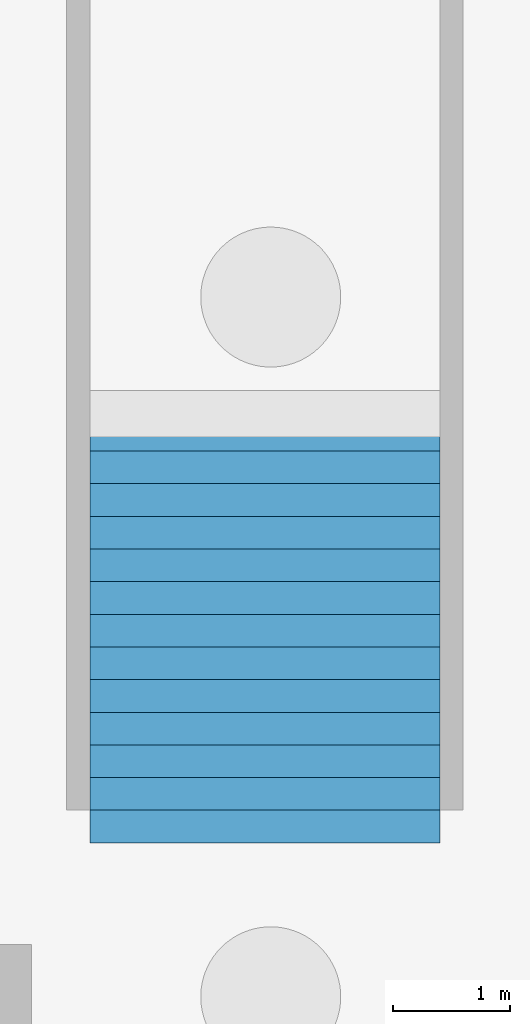
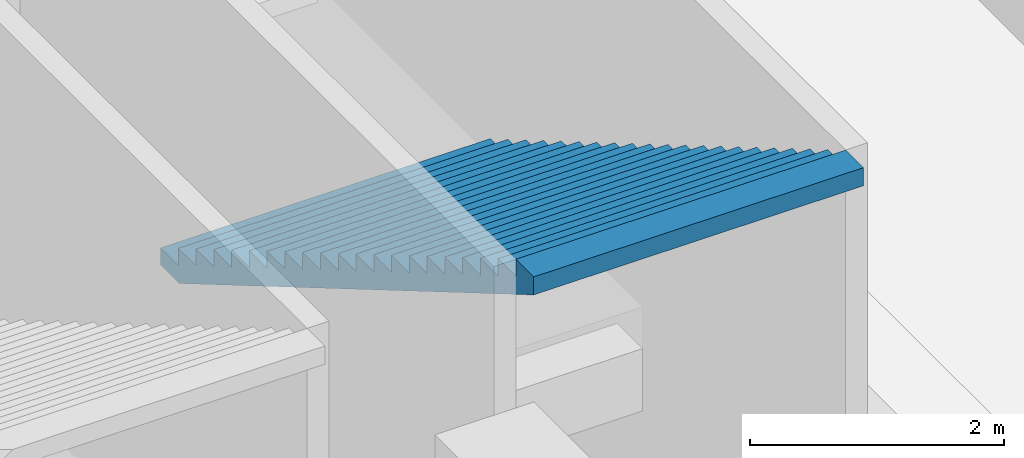
# One storey, part 12 of 16: 1 stair flight, 1 element without a shape of its own.
"""IFC4 building model written with IfcOpenShell, lengths in metres."""

from ifc_helpers import new_model, si_unit, direction, frame, origin, place, context, subcontext, project, spatial, faceted_brep, material, type_object, element, aggregate, save


model = new_model("IFC4")

# Units and contexts
model_context = context("Model", 3, precision=1e-05, world=origin(), true_north=direction((0.0, 1.0)))
body_context = subcontext(model_context, "Body", "Model", "MODEL_VIEW")
ifc_project = project(units=[si_unit("LENGTHUNIT", "METRE"), si_unit("AREAUNIT", "SQUARE_METRE"), si_unit("VOLUMEUNIT", "CUBIC_METRE"), si_unit("PLANEANGLEUNIT", "RADIAN"), si_unit("MASSUNIT", "GRAM", prefix="KILO")], contexts=[model_context])

# Site, building, storey
site_placement = place(None, origin())
site = spatial("IfcSite", under=ifc_project, at=site_placement, CompositionType="ELEMENT")
building_placement = place(site_placement, origin())
building = spatial("IfcBuilding", under=site, at=building_placement, Name="Ogive Plaza Stadium", CompositionType="ELEMENT")
storey_placement = place(building_placement, frame((0.0, 0.0, -11.39990234375)))
storey = spatial("IfcBuildingStorey", under=building, at=storey_placement, Name="B2", CompositionType="ELEMENT", Elevation=-11.39990234375)

# Stair, stair flight
ifc_material_1 = material(Name="Concrete C40/50", Category="concrete")
stair_type = type_object("IfcStairType", Name="Station stair 3000", PredefinedType="TWO_STRAIGHT_RUN_STAIR", material=ifc_material_1)
stair_placement = place(storey_placement, origin())
stair = element("IfcStair", 1, at=stair_placement, inside=storey, type_object=stair_type, Name="Stair PS4", PredefinedType="TWO_STRAIGHT_RUN_STAIR")
ifc_material_2 = material(Name="Concrete C40/50", Category="concrete")
stair_flight_type = type_object("IfcStairFlightType", Name="Station stair flight 3000", PredefinedType="STRAIGHT", material=ifc_material_2)
stair_flight_placement = place(storey_placement, frame((109.949951171875, 34.199951171875, 3.449951171875), z_axis=(0.0, 0.0, 1.0), x_axis=(0.0, -1.0, 0.0)))
stair_flight = element("IfcStairFlight", 2, at=stair_flight_placement, type_object=stair_flight_type, Name="PS4 flight 2", NumberOfRisers=21, NumberOfTreads=20, PredefinedType="STRAIGHT", RiserHeight=0.164285714, TreadLength=0.28, context=body_context, shape_type="Brep", body=[
    faceted_brep([(0.296142578125, -1.5, 0.0), (5.8798828125, -1.5, 3.276123046875), (5.8798828125, -1.5, 3.449951171875), (5.60009765625, -1.5, 3.449951171875), (5.60009765625, -1.5, 3.28564453125), (5.320068359375, -1.5, 3.28564453125), (5.320068359375, -1.5, 3.121337890625), (5.0400390625, -1.5, 3.121337890625), (5.0400390625, -1.5, 2.95703125), (4.760009765625, -1.5, 2.95703125), (4.760009765625, -1.5, 2.79296875), (4.47998046875, -1.5, 2.79296875), (4.47998046875, -1.5, 2.628662109375), (4.199951171875, -1.5, 2.628662109375), (4.199951171875, -1.5, 2.46435546875), (3.919921875, -1.5, 2.46435546875), (3.919921875, -1.5, 2.300048828125), (3.639892578125, -1.5, 2.300048828125), (3.639892578125, -1.5, 2.1357421875), (3.360107421875, -1.5, 2.1357421875), (3.360107421875, -1.5, 1.971435546875), (3.080078125, -1.5, 1.971435546875), (3.080078125, -1.5, 1.80712890625), (2.800048828125, -1.5, 1.80712890625), (2.800048828125, -1.5, 1.642822265625), (2.52001953125, -1.5, 1.642822265625), (2.52001953125, -1.5, 1.478515625), (2.239990234375, -1.5, 1.478515625), (2.239990234375, -1.5, 1.314208984375), (1.9599609375, -1.5, 1.314208984375), (1.9599609375, -1.5, 1.14990234375), (1.679931640625, -1.5, 1.14990234375), (1.679931640625, -1.5, 0.985595703125), (1.39990234375, -1.5, 0.985595703125), (1.39990234375, -1.5, 0.821533203125), (1.1201171875, -1.5, 0.821533203125), (1.1201171875, -1.5, 0.6572265625), (0.840087890625, -1.5, 0.6572265625), (0.840087890625, -1.5, 0.492919921875), (0.56005859375, -1.5, 0.492919921875), (0.56005859375, -1.5, 0.32861328125), (0.280029296875, -1.5, 0.32861328125), (0.280029296875, -1.5, 0.164306640625), (0.0, -1.5, 0.164306640625), (0.0, -1.5, 0.0), (0.0, 1.5, 0.0), (0.0, 1.5, 0.164306640625), (0.280029296875, 1.5, 0.164306640625), (0.280029296875, 1.5, 0.32861328125), (0.56005859375, 1.5, 0.32861328125), (0.56005859375, 1.5, 0.492919921875), (0.840087890625, 1.5, 0.492919921875), (0.840087890625, 1.5, 0.6572265625), (1.1201171875, 1.5, 0.6572265625), (1.1201171875, 1.5, 0.821533203125), (1.39990234375, 1.5, 0.821533203125), (1.39990234375, 1.5, 0.985595703125), (1.679931640625, 1.5, 0.985595703125), (1.679931640625, 1.5, 1.14990234375), (1.9599609375, 1.5, 1.14990234375), (1.9599609375, 1.5, 1.314208984375), (2.239990234375, 1.5, 1.314208984375), (2.239990234375, 1.5, 1.478515625), (2.52001953125, 1.5, 1.478515625), (2.52001953125, 1.5, 1.642822265625), (2.800048828125, 1.5, 1.642822265625), (2.800048828125, 1.5, 1.80712890625), (3.080078125, 1.5, 1.80712890625), (3.080078125, 1.5, 1.971435546875), (3.360107421875, 1.5, 1.971435546875), (3.360107421875, 1.5, 2.1357421875), (3.639892578125, 1.5, 2.1357421875), (3.639892578125, 1.5, 2.300048828125), (3.919921875, 1.5, 2.300048828125), (3.919921875, 1.5, 2.46435546875), (4.199951171875, 1.5, 2.46435546875), (4.199951171875, 1.5, 2.628662109375), (4.47998046875, 1.5, 2.628662109375), (4.47998046875, 1.5, 2.79296875), (4.760009765625, 1.5, 2.79296875), (4.760009765625, 1.5, 2.95703125), (5.0400390625, 1.5, 2.95703125), (5.0400390625, 1.5, 3.121337890625), (5.320068359375, 1.5, 3.121337890625), (5.320068359375, 1.5, 3.28564453125), (5.60009765625, 1.5, 3.28564453125), (5.60009765625, 1.5, 3.449951171875), (5.8798828125, 1.5, 3.449951171875), (5.8798828125, 1.5, 3.276123046875), (0.296142578125, 1.5, 0.0), (0.296142578125, -1.166748046875, 0.0), (5.8798828125, -1.166748046875, 3.276123046875), (0.296142578125, -0.833251953125, 0.0), (5.8798828125, -0.833251953125, 3.276123046875), (0.296142578125, -0.5, 0.0), (5.8798828125, -0.5, 3.276123046875), (0.296142578125, -0.166748046875, 0.0), (5.8798828125, -0.166748046875, 3.276123046875), (0.296142578125, 0.166748046875, 0.0), (5.8798828125, 0.166748046875, 3.276123046875), (0.296142578125, 0.5, 0.0), (5.8798828125, 0.5, 3.276123046875), (0.296142578125, 0.833251953125, 0.0), (5.8798828125, 0.833251953125, 3.276123046875), (0.296142578125, 1.166748046875, 0.0), (5.8798828125, 1.166748046875, 3.276123046875), (5.8798828125, -1.166748046875, 3.449951171875), (5.8798828125, -0.833251953125, 3.449951171875), (5.8798828125, -0.5, 3.449951171875), (5.8798828125, -0.166748046875, 3.449951171875), (5.8798828125, 0.166748046875, 3.449951171875), (5.8798828125, 0.5, 3.449951171875), (5.8798828125, 0.833251953125, 3.449951171875), (5.8798828125, 1.166748046875, 3.449951171875), (5.60009765625, -1.166748046875, 3.449951171875), (5.60009765625, -0.833251953125, 3.449951171875), (5.60009765625, -0.5, 3.449951171875), (5.60009765625, -0.166748046875, 3.449951171875), (5.60009765625, 0.166748046875, 3.449951171875), (5.60009765625, 0.5, 3.449951171875), (5.60009765625, 0.833251953125, 3.449951171875), (5.60009765625, 1.166748046875, 3.449951171875), (5.60009765625, -1.166748046875, 3.28564453125), (5.60009765625, -0.833251953125, 3.28564453125), (5.60009765625, -0.5, 3.28564453125), (5.60009765625, -0.166748046875, 3.28564453125), (5.60009765625, 0.166748046875, 3.28564453125), (5.60009765625, 0.5, 3.28564453125), (5.60009765625, 0.833251953125, 3.28564453125), (5.60009765625, 1.166748046875, 3.28564453125), (5.320068359375, -1.166748046875, 3.28564453125), (5.320068359375, -0.833251953125, 3.28564453125), (5.320068359375, -0.5, 3.28564453125), (5.320068359375, -0.166748046875, 3.28564453125), (5.320068359375, 0.166748046875, 3.28564453125), (5.320068359375, 0.5, 3.28564453125), (5.320068359375, 0.833251953125, 3.28564453125), (5.320068359375, 1.166748046875, 3.28564453125), (5.320068359375, -1.166748046875, 3.121337890625), (5.320068359375, -0.833251953125, 3.121337890625), (5.320068359375, -0.5, 3.121337890625), (5.320068359375, -0.166748046875, 3.121337890625), (5.320068359375, 0.166748046875, 3.121337890625), (5.320068359375, 0.5, 3.121337890625), (5.320068359375, 0.833251953125, 3.121337890625), (5.320068359375, 1.166748046875, 3.121337890625), (5.0400390625, -1.166748046875, 3.121337890625), (5.0400390625, -0.833251953125, 3.121337890625), (5.0400390625, -0.5, 3.121337890625), (5.0400390625, -0.166748046875, 3.121337890625), (5.0400390625, 0.166748046875, 3.121337890625), (5.0400390625, 0.5, 3.121337890625), (5.0400390625, 0.833251953125, 3.121337890625), (5.0400390625, 1.166748046875, 3.121337890625), (5.0400390625, -1.166748046875, 2.95703125), (5.0400390625, -0.833251953125, 2.95703125), (5.0400390625, -0.5, 2.95703125), (5.0400390625, -0.166748046875, 2.95703125), (5.0400390625, 0.166748046875, 2.95703125), (5.0400390625, 0.5, 2.95703125), (5.0400390625, 0.833251953125, 2.95703125), (5.0400390625, 1.166748046875, 2.95703125), (4.760009765625, -1.166748046875, 2.95703125), (4.760009765625, -0.833251953125, 2.95703125), (4.760009765625, -0.5, 2.95703125), (4.760009765625, -0.166748046875, 2.95703125), (4.760009765625, 0.166748046875, 2.95703125), (4.760009765625, 0.5, 2.95703125), (4.760009765625, 0.833251953125, 2.95703125), (4.760009765625, 1.166748046875, 2.95703125), (4.760009765625, -1.166748046875, 2.79296875), (4.760009765625, -0.833251953125, 2.79296875), (4.760009765625, -0.5, 2.79296875), (4.760009765625, -0.166748046875, 2.79296875), (4.760009765625, 0.166748046875, 2.79296875), (4.760009765625, 0.5, 2.79296875), (4.760009765625, 0.833251953125, 2.79296875), (4.760009765625, 1.166748046875, 2.79296875), (4.47998046875, -1.166748046875, 2.79296875), (4.47998046875, -0.833251953125, 2.79296875), (4.47998046875, -0.5, 2.79296875), (4.47998046875, -0.166748046875, 2.79296875), (4.47998046875, 0.166748046875, 2.79296875), (4.47998046875, 0.5, 2.79296875), (4.47998046875, 0.833251953125, 2.79296875), (4.47998046875, 1.166748046875, 2.79296875), (4.47998046875, -1.166748046875, 2.628662109375), (4.47998046875, -0.833251953125, 2.628662109375), (4.47998046875, -0.5, 2.628662109375), (4.47998046875, -0.166748046875, 2.628662109375), (4.47998046875, 0.166748046875, 2.628662109375), (4.47998046875, 0.5, 2.628662109375), (4.47998046875, 0.833251953125, 2.628662109375), (4.47998046875, 1.166748046875, 2.628662109375), (4.199951171875, -1.166748046875, 2.628662109375), (4.199951171875, -0.833251953125, 2.628662109375), (4.199951171875, -0.5, 2.628662109375), (4.199951171875, -0.166748046875, 2.628662109375), (4.199951171875, 0.166748046875, 2.628662109375), (4.199951171875, 0.5, 2.628662109375), (4.199951171875, 0.833251953125, 2.628662109375), (4.199951171875, 1.166748046875, 2.628662109375), (4.199951171875, -1.166748046875, 2.46435546875), (4.199951171875, -0.833251953125, 2.46435546875), (4.199951171875, -0.5, 2.46435546875), (4.199951171875, -0.166748046875, 2.46435546875), (4.199951171875, 0.166748046875, 2.46435546875), (4.199951171875, 0.5, 2.46435546875), (4.199951171875, 0.833251953125, 2.46435546875), (4.199951171875, 1.166748046875, 2.46435546875), (3.919921875, -1.166748046875, 2.46435546875), (3.919921875, -0.833251953125, 2.46435546875), (3.919921875, -0.5, 2.46435546875), (3.919921875, -0.166748046875, 2.46435546875), (3.919921875, 0.166748046875, 2.46435546875), (3.919921875, 0.5, 2.46435546875), (3.919921875, 0.833251953125, 2.46435546875), (3.919921875, 1.166748046875, 2.46435546875), (3.919921875, -1.166748046875, 2.300048828125), (3.919921875, -0.833251953125, 2.300048828125), (3.919921875, -0.5, 2.300048828125), (3.919921875, -0.166748046875, 2.300048828125), (3.919921875, 0.166748046875, 2.300048828125), (3.919921875, 0.5, 2.300048828125), (3.919921875, 0.833251953125, 2.300048828125), (3.919921875, 1.166748046875, 2.300048828125), (3.639892578125, -1.166748046875, 2.300048828125), (3.639892578125, -0.833251953125, 2.300048828125), (3.639892578125, -0.5, 2.300048828125), (3.639892578125, -0.166748046875, 2.300048828125), (3.639892578125, 0.166748046875, 2.300048828125), (3.639892578125, 0.5, 2.300048828125), (3.639892578125, 0.833251953125, 2.300048828125), (3.639892578125, 1.166748046875, 2.300048828125), (3.639892578125, -1.166748046875, 2.1357421875), (3.639892578125, -0.833251953125, 2.1357421875), (3.639892578125, -0.5, 2.1357421875), (3.639892578125, -0.166748046875, 2.1357421875), (3.639892578125, 0.166748046875, 2.1357421875), (3.639892578125, 0.5, 2.1357421875), (3.639892578125, 0.833251953125, 2.1357421875), (3.639892578125, 1.166748046875, 2.1357421875), (3.360107421875, -1.166748046875, 2.1357421875), (3.360107421875, -0.833251953125, 2.1357421875), (3.360107421875, -0.5, 2.1357421875), (3.360107421875, -0.166748046875, 2.1357421875), (3.360107421875, 0.166748046875, 2.1357421875), (3.360107421875, 0.5, 2.1357421875), (3.360107421875, 0.833251953125, 2.1357421875), (3.360107421875, 1.166748046875, 2.1357421875), (3.360107421875, -1.166748046875, 1.971435546875), (3.360107421875, -0.833251953125, 1.971435546875), (3.360107421875, -0.5, 1.971435546875), (3.360107421875, -0.166748046875, 1.971435546875), (3.360107421875, 0.166748046875, 1.971435546875), (3.360107421875, 0.5, 1.971435546875), (3.360107421875, 0.833251953125, 1.971435546875), (3.360107421875, 1.166748046875, 1.971435546875), (3.080078125, -1.166748046875, 1.971435546875), (3.080078125, -0.833251953125, 1.971435546875), (3.080078125, -0.5, 1.971435546875), (3.080078125, -0.166748046875, 1.971435546875), (3.080078125, 0.166748046875, 1.971435546875), (3.080078125, 0.5, 1.971435546875), (3.080078125, 0.833251953125, 1.971435546875), (3.080078125, 1.166748046875, 1.971435546875), (3.080078125, -1.166748046875, 1.80712890625), (3.080078125, -0.833251953125, 1.80712890625), (3.080078125, -0.5, 1.80712890625), (3.080078125, -0.166748046875, 1.80712890625), (3.080078125, 0.166748046875, 1.80712890625), (3.080078125, 0.5, 1.80712890625), (3.080078125, 0.833251953125, 1.80712890625), (3.080078125, 1.166748046875, 1.80712890625), (2.800048828125, -1.166748046875, 1.80712890625), (2.800048828125, -0.833251953125, 1.80712890625), (2.800048828125, -0.5, 1.80712890625), (2.800048828125, -0.166748046875, 1.80712890625), (2.800048828125, 0.166748046875, 1.80712890625), (2.800048828125, 0.5, 1.80712890625), (2.800048828125, 0.833251953125, 1.80712890625), (2.800048828125, 1.166748046875, 1.80712890625), (2.800048828125, -1.166748046875, 1.642822265625), (2.800048828125, -0.833251953125, 1.642822265625), (2.800048828125, -0.5, 1.642822265625), (2.800048828125, -0.166748046875, 1.642822265625), (2.800048828125, 0.166748046875, 1.642822265625), (2.800048828125, 0.5, 1.642822265625), (2.800048828125, 0.833251953125, 1.642822265625), (2.800048828125, 1.166748046875, 1.642822265625), (2.52001953125, -1.166748046875, 1.642822265625), (2.52001953125, -0.833251953125, 1.642822265625), (2.52001953125, -0.5, 1.642822265625), (2.52001953125, -0.166748046875, 1.642822265625), (2.52001953125, 0.166748046875, 1.642822265625), (2.52001953125, 0.5, 1.642822265625), (2.52001953125, 0.833251953125, 1.642822265625), (2.52001953125, 1.166748046875, 1.642822265625), (2.52001953125, -1.166748046875, 1.478515625), (2.52001953125, -0.833251953125, 1.478515625), (2.52001953125, -0.5, 1.478515625), (2.52001953125, -0.166748046875, 1.478515625), (2.52001953125, 0.166748046875, 1.478515625), (2.52001953125, 0.5, 1.478515625), (2.52001953125, 0.833251953125, 1.478515625), (2.52001953125, 1.166748046875, 1.478515625), (2.239990234375, -1.166748046875, 1.478515625), (2.239990234375, -0.833251953125, 1.478515625), (2.239990234375, -0.5, 1.478515625), (2.239990234375, -0.166748046875, 1.478515625), (2.239990234375, 0.166748046875, 1.478515625), (2.239990234375, 0.5, 1.478515625), (2.239990234375, 0.833251953125, 1.478515625), (2.239990234375, 1.166748046875, 1.478515625), (2.239990234375, -1.166748046875, 1.314208984375), (2.239990234375, -0.833251953125, 1.314208984375), (2.239990234375, -0.5, 1.314208984375), (2.239990234375, -0.166748046875, 1.314208984375), (2.239990234375, 0.166748046875, 1.314208984375), (2.239990234375, 0.5, 1.314208984375), (2.239990234375, 0.833251953125, 1.314208984375), (2.239990234375, 1.166748046875, 1.314208984375), (1.9599609375, -1.166748046875, 1.314208984375), (1.9599609375, -0.833251953125, 1.314208984375), (1.9599609375, -0.5, 1.314208984375), (1.9599609375, -0.166748046875, 1.314208984375), (1.9599609375, 0.166748046875, 1.314208984375), (1.9599609375, 0.5, 1.314208984375), (1.9599609375, 0.833251953125, 1.314208984375), (1.9599609375, 1.166748046875, 1.314208984375), (1.9599609375, -1.166748046875, 1.14990234375), (1.9599609375, -0.833251953125, 1.14990234375), (1.9599609375, -0.5, 1.14990234375), (1.9599609375, -0.166748046875, 1.14990234375), (1.9599609375, 0.166748046875, 1.14990234375), (1.9599609375, 0.5, 1.14990234375), (1.9599609375, 0.833251953125, 1.14990234375), (1.9599609375, 1.166748046875, 1.14990234375), (1.679931640625, -1.166748046875, 1.14990234375), (1.679931640625, -0.833251953125, 1.14990234375), (1.679931640625, -0.5, 1.14990234375), (1.679931640625, -0.166748046875, 1.14990234375), (1.679931640625, 0.166748046875, 1.14990234375), (1.679931640625, 0.5, 1.14990234375), (1.679931640625, 0.833251953125, 1.14990234375), (1.679931640625, 1.166748046875, 1.14990234375), (1.679931640625, -1.166748046875, 0.985595703125), (1.679931640625, -0.833251953125, 0.985595703125), (1.679931640625, -0.5, 0.985595703125), (1.679931640625, -0.166748046875, 0.985595703125), (1.679931640625, 0.166748046875, 0.985595703125), (1.679931640625, 0.5, 0.985595703125), (1.679931640625, 0.833251953125, 0.985595703125), (1.679931640625, 1.166748046875, 0.985595703125), (1.39990234375, -1.166748046875, 0.985595703125), (1.39990234375, -0.833251953125, 0.985595703125), (1.39990234375, -0.5, 0.985595703125), (1.39990234375, -0.166748046875, 0.985595703125), (1.39990234375, 0.166748046875, 0.985595703125), (1.39990234375, 0.5, 0.985595703125), (1.39990234375, 0.833251953125, 0.985595703125), (1.39990234375, 1.166748046875, 0.985595703125), (1.39990234375, -1.166748046875, 0.821533203125), (1.39990234375, -0.833251953125, 0.821533203125), (1.39990234375, -0.5, 0.821533203125), (1.39990234375, -0.166748046875, 0.821533203125), (1.39990234375, 0.166748046875, 0.821533203125), (1.39990234375, 0.5, 0.821533203125), (1.39990234375, 0.833251953125, 0.821533203125), (1.39990234375, 1.166748046875, 0.821533203125), (1.1201171875, -1.166748046875, 0.821533203125), (1.1201171875, -0.833251953125, 0.821533203125), (1.1201171875, -0.5, 0.821533203125), (1.1201171875, -0.166748046875, 0.821533203125), (1.1201171875, 0.166748046875, 0.821533203125), (1.1201171875, 0.5, 0.821533203125), (1.1201171875, 0.833251953125, 0.821533203125), (1.1201171875, 1.166748046875, 0.821533203125), (1.1201171875, -1.166748046875, 0.6572265625), (1.1201171875, -0.833251953125, 0.6572265625), (1.1201171875, -0.5, 0.6572265625), (1.1201171875, -0.166748046875, 0.6572265625), (1.1201171875, 0.166748046875, 0.6572265625), (1.1201171875, 0.5, 0.6572265625), (1.1201171875, 0.833251953125, 0.6572265625), (1.1201171875, 1.166748046875, 0.6572265625), (0.840087890625, -1.166748046875, 0.6572265625), (0.840087890625, -0.833251953125, 0.6572265625), (0.840087890625, -0.5, 0.6572265625), (0.840087890625, -0.166748046875, 0.6572265625), (0.840087890625, 0.166748046875, 0.6572265625), (0.840087890625, 0.5, 0.6572265625), (0.840087890625, 0.833251953125, 0.6572265625), (0.840087890625, 1.166748046875, 0.6572265625), (0.840087890625, -1.166748046875, 0.492919921875), (0.840087890625, -0.833251953125, 0.492919921875), (0.840087890625, -0.5, 0.492919921875), (0.840087890625, -0.166748046875, 0.492919921875), (0.840087890625, 0.166748046875, 0.492919921875), (0.840087890625, 0.5, 0.492919921875), (0.840087890625, 0.833251953125, 0.492919921875), (0.840087890625, 1.166748046875, 0.492919921875), (0.56005859375, -1.166748046875, 0.492919921875), (0.56005859375, -0.833251953125, 0.492919921875), (0.56005859375, -0.5, 0.492919921875), (0.56005859375, -0.166748046875, 0.492919921875), (0.56005859375, 0.166748046875, 0.492919921875), (0.56005859375, 0.5, 0.492919921875), (0.56005859375, 0.833251953125, 0.492919921875), (0.56005859375, 1.166748046875, 0.492919921875), (0.56005859375, -1.166748046875, 0.32861328125), (0.56005859375, -0.833251953125, 0.32861328125), (0.56005859375, -0.5, 0.32861328125), (0.56005859375, -0.166748046875, 0.32861328125), (0.56005859375, 0.166748046875, 0.32861328125), (0.56005859375, 0.5, 0.32861328125), (0.56005859375, 0.833251953125, 0.32861328125), (0.56005859375, 1.166748046875, 0.32861328125), (0.280029296875, -1.166748046875, 0.32861328125), (0.280029296875, -0.833251953125, 0.32861328125), (0.280029296875, -0.5, 0.32861328125), (0.280029296875, -0.166748046875, 0.32861328125), (0.280029296875, 0.166748046875, 0.32861328125), (0.280029296875, 0.5, 0.32861328125), (0.280029296875, 0.833251953125, 0.32861328125), (0.280029296875, 1.166748046875, 0.32861328125), (0.280029296875, -1.166748046875, 0.164306640625), (0.280029296875, -0.833251953125, 0.164306640625), (0.280029296875, -0.5, 0.164306640625), (0.280029296875, -0.166748046875, 0.164306640625), (0.280029296875, 0.166748046875, 0.164306640625), (0.280029296875, 0.5, 0.164306640625), (0.280029296875, 0.833251953125, 0.164306640625), (0.280029296875, 1.166748046875, 0.164306640625), (0.0, -1.166748046875, 0.164306640625), (0.0, -0.833251953125, 0.164306640625), (0.0, -0.5, 0.164306640625), (0.0, -0.166748046875, 0.164306640625), (0.0, 0.166748046875, 0.164306640625), (0.0, 0.5, 0.164306640625), (0.0, 0.833251953125, 0.164306640625), (0.0, 1.166748046875, 0.164306640625), (0.0, -1.166748046875, 0.0), (0.0, -0.833251953125, 0.0), (0.0, -0.5, 0.0), (0.0, -0.166748046875, 0.0), (0.0, 0.166748046875, 0.0), (0.0, 0.5, 0.0), (0.0, 0.833251953125, 0.0), (0.0, 1.166748046875, 0.0)], [[[0, 1, 2, 3, 4, 5, 6, 7, 8, 9, 10, 11, 12, 13, 14, 15, 16, 17, 18, 19, 20, 21, 22, 23, 24, 25, 26, 27, 28, 29, 30, 31, 32, 33, 34, 35, 36, 37, 38, 39, 40, 41, 42, 43, 44]], [[45, 46, 47, 48, 49, 50, 51, 52, 53, 54, 55, 56, 57, 58, 59, 60, 61, 62, 63, 64, 65, 66, 67, 68, 69, 70, 71, 72, 73, 74, 75, 76, 77, 78, 79, 80, 81, 82, 83, 84, 85, 86, 87, 88, 89]], [[0, 90, 91, 1]], [[90, 92, 93, 91]], [[92, 94, 95, 93]], [[94, 96, 97, 95]], [[96, 98, 99, 97]], [[98, 100, 101, 99]], [[100, 102, 103, 101]], [[102, 104, 105, 103]], [[104, 89, 88, 105]], [[1, 91, 106, 2]], [[91, 93, 107, 106]], [[93, 95, 108, 107]], [[95, 97, 109, 108]], [[97, 99, 110, 109]], [[99, 101, 111, 110]], [[101, 103, 112, 111]], [[103, 105, 113, 112]], [[105, 88, 87, 113]], [[2, 106, 114, 3]], [[106, 107, 115, 114]], [[107, 108, 116, 115]], [[108, 109, 117, 116]], [[109, 110, 118, 117]], [[110, 111, 119, 118]], [[111, 112, 120, 119]], [[112, 113, 121, 120]], [[113, 87, 86, 121]], [[3, 114, 122, 4]], [[114, 115, 123, 122]], [[115, 116, 124, 123]], [[116, 117, 125, 124]], [[117, 118, 126, 125]], [[118, 119, 127, 126]], [[119, 120, 128, 127]], [[120, 121, 129, 128]], [[121, 86, 85, 129]], [[4, 122, 130, 5]], [[122, 123, 131, 130]], [[123, 124, 132, 131]], [[124, 125, 133, 132]], [[125, 126, 134, 133]], [[126, 127, 135, 134]], [[127, 128, 136, 135]], [[128, 129, 137, 136]], [[129, 85, 84, 137]], [[5, 130, 138, 6]], [[130, 131, 139, 138]], [[131, 132, 140, 139]], [[132, 133, 141, 140]], [[133, 134, 142, 141]], [[134, 135, 143, 142]], [[135, 136, 144, 143]], [[136, 137, 145, 144]], [[137, 84, 83, 145]], [[6, 138, 146, 7]], [[138, 139, 147, 146]], [[139, 140, 148, 147]], [[140, 141, 149, 148]], [[141, 142, 150, 149]], [[142, 143, 151, 150]], [[143, 144, 152, 151]], [[144, 145, 153, 152]], [[145, 83, 82, 153]], [[7, 146, 154, 8]], [[146, 147, 155, 154]], [[147, 148, 156, 155]], [[148, 149, 157, 156]], [[149, 150, 158, 157]], [[150, 151, 159, 158]], [[151, 152, 160, 159]], [[152, 153, 161, 160]], [[153, 82, 81, 161]], [[8, 154, 162, 9]], [[154, 155, 163, 162]], [[155, 156, 164, 163]], [[156, 157, 165, 164]], [[157, 158, 166, 165]], [[158, 159, 167, 166]], [[159, 160, 168, 167]], [[160, 161, 169, 168]], [[161, 81, 80, 169]], [[9, 162, 170, 10]], [[162, 163, 171, 170]], [[163, 164, 172, 171]], [[164, 165, 173, 172]], [[165, 166, 174, 173]], [[166, 167, 175, 174]], [[167, 168, 176, 175]], [[168, 169, 177, 176]], [[169, 80, 79, 177]], [[10, 170, 178, 11]], [[170, 171, 179, 178]], [[171, 172, 180, 179]], [[172, 173, 181, 180]], [[173, 174, 182, 181]], [[174, 175, 183, 182]], [[175, 176, 184, 183]], [[176, 177, 185, 184]], [[177, 79, 78, 185]], [[11, 178, 186, 12]], [[178, 179, 187, 186]], [[179, 180, 188, 187]], [[180, 181, 189, 188]], [[181, 182, 190, 189]], [[182, 183, 191, 190]], [[183, 184, 192, 191]], [[184, 185, 193, 192]], [[185, 78, 77, 193]], [[12, 186, 194, 13]], [[186, 187, 195, 194]], [[187, 188, 196, 195]], [[188, 189, 197, 196]], [[189, 190, 198, 197]], [[190, 191, 199, 198]], [[191, 192, 200, 199]], [[192, 193, 201, 200]], [[193, 77, 76, 201]], [[13, 194, 202, 14]], [[194, 195, 203, 202]], [[195, 196, 204, 203]], [[196, 197, 205, 204]], [[197, 198, 206, 205]], [[198, 199, 207, 206]], [[199, 200, 208, 207]], [[200, 201, 209, 208]], [[201, 76, 75, 209]], [[14, 202, 210, 15]], [[202, 203, 211, 210]], [[203, 204, 212, 211]], [[204, 205, 213, 212]], [[205, 206, 214, 213]], [[206, 207, 215, 214]], [[207, 208, 216, 215]], [[208, 209, 217, 216]], [[209, 75, 74, 217]], [[15, 210, 218, 16]], [[210, 211, 219, 218]], [[211, 212, 220, 219]], [[212, 213, 221, 220]], [[213, 214, 222, 221]], [[214, 215, 223, 222]], [[215, 216, 224, 223]], [[216, 217, 225, 224]], [[217, 74, 73, 225]], [[16, 218, 226, 17]], [[218, 219, 227, 226]], [[219, 220, 228, 227]], [[220, 221, 229, 228]], [[221, 222, 230, 229]], [[222, 223, 231, 230]], [[223, 224, 232, 231]], [[224, 225, 233, 232]], [[225, 73, 72, 233]], [[17, 226, 234, 18]], [[226, 227, 235, 234]], [[227, 228, 236, 235]], [[228, 229, 237, 236]], [[229, 230, 238, 237]], [[230, 231, 239, 238]], [[231, 232, 240, 239]], [[232, 233, 241, 240]], [[233, 72, 71, 241]], [[18, 234, 242, 19]], [[234, 235, 243, 242]], [[235, 236, 244, 243]], [[236, 237, 245, 244]], [[237, 238, 246, 245]], [[238, 239, 247, 246]], [[239, 240, 248, 247]], [[240, 241, 249, 248]], [[241, 71, 70, 249]], [[19, 242, 250, 20]], [[242, 243, 251, 250]], [[243, 244, 252, 251]], [[244, 245, 253, 252]], [[245, 246, 254, 253]], [[246, 247, 255, 254]], [[247, 248, 256, 255]], [[248, 249, 257, 256]], [[249, 70, 69, 257]], [[20, 250, 258, 21]], [[250, 251, 259, 258]], [[251, 252, 260, 259]], [[252, 253, 261, 260]], [[253, 254, 262, 261]], [[254, 255, 263, 262]], [[255, 256, 264, 263]], [[256, 257, 265, 264]], [[257, 69, 68, 265]], [[21, 258, 266, 22]], [[258, 259, 267, 266]], [[259, 260, 268, 267]], [[260, 261, 269, 268]], [[261, 262, 270, 269]], [[262, 263, 271, 270]], [[263, 264, 272, 271]], [[264, 265, 273, 272]], [[265, 68, 67, 273]], [[22, 266, 274, 23]], [[266, 267, 275, 274]], [[267, 268, 276, 275]], [[268, 269, 277, 276]], [[269, 270, 278, 277]], [[270, 271, 279, 278]], [[271, 272, 280, 279]], [[272, 273, 281, 280]], [[273, 67, 66, 281]], [[23, 274, 282, 24]], [[274, 275, 283, 282]], [[275, 276, 284, 283]], [[276, 277, 285, 284]], [[277, 278, 286, 285]], [[278, 279, 287, 286]], [[279, 280, 288, 287]], [[280, 281, 289, 288]], [[281, 66, 65, 289]], [[24, 282, 290, 25]], [[282, 283, 291, 290]], [[283, 284, 292, 291]], [[284, 285, 293, 292]], [[285, 286, 294, 293]], [[286, 287, 295, 294]], [[287, 288, 296, 295]], [[288, 289, 297, 296]], [[289, 65, 64, 297]], [[25, 290, 298, 26]], [[290, 291, 299, 298]], [[291, 292, 300, 299]], [[292, 293, 301, 300]], [[293, 294, 302, 301]], [[294, 295, 303, 302]], [[295, 296, 304, 303]], [[296, 297, 305, 304]], [[297, 64, 63, 305]], [[26, 298, 306, 27]], [[298, 299, 307, 306]], [[299, 300, 308, 307]], [[300, 301, 309, 308]], [[301, 302, 310, 309]], [[302, 303, 311, 310]], [[303, 304, 312, 311]], [[304, 305, 313, 312]], [[305, 63, 62, 313]], [[27, 306, 314, 28]], [[306, 307, 315, 314]], [[307, 308, 316, 315]], [[308, 309, 317, 316]], [[309, 310, 318, 317]], [[310, 311, 319, 318]], [[311, 312, 320, 319]], [[312, 313, 321, 320]], [[313, 62, 61, 321]], [[28, 314, 322, 29]], [[314, 315, 323, 322]], [[315, 316, 324, 323]], [[316, 317, 325, 324]], [[317, 318, 326, 325]], [[318, 319, 327, 326]], [[319, 320, 328, 327]], [[320, 321, 329, 328]], [[321, 61, 60, 329]], [[29, 322, 330, 30]], [[322, 323, 331, 330]], [[323, 324, 332, 331]], [[324, 325, 333, 332]], [[325, 326, 334, 333]], [[326, 327, 335, 334]], [[327, 328, 336, 335]], [[328, 329, 337, 336]], [[329, 60, 59, 337]], [[30, 330, 338, 31]], [[330, 331, 339, 338]], [[331, 332, 340, 339]], [[332, 333, 341, 340]], [[333, 334, 342, 341]], [[334, 335, 343, 342]], [[335, 336, 344, 343]], [[336, 337, 345, 344]], [[337, 59, 58, 345]], [[31, 338, 346, 32]], [[338, 339, 347, 346]], [[339, 340, 348, 347]], [[340, 341, 349, 348]], [[341, 342, 350, 349]], [[342, 343, 351, 350]], [[343, 344, 352, 351]], [[344, 345, 353, 352]], [[345, 58, 57, 353]], [[32, 346, 354, 33]], [[346, 347, 355, 354]], [[347, 348, 356, 355]], [[348, 349, 357, 356]], [[349, 350, 358, 357]], [[350, 351, 359, 358]], [[351, 352, 360, 359]], [[352, 353, 361, 360]], [[353, 57, 56, 361]], [[33, 354, 362, 34]], [[354, 355, 363, 362]], [[355, 356, 364, 363]], [[356, 357, 365, 364]], [[357, 358, 366, 365]], [[358, 359, 367, 366]], [[359, 360, 368, 367]], [[360, 361, 369, 368]], [[361, 56, 55, 369]], [[34, 362, 370, 35]], [[362, 363, 371, 370]], [[363, 364, 372, 371]], [[364, 365, 373, 372]], [[365, 366, 374, 373]], [[366, 367, 375, 374]], [[367, 368, 376, 375]], [[368, 369, 377, 376]], [[369, 55, 54, 377]], [[35, 370, 378, 36]], [[370, 371, 379, 378]], [[371, 372, 380, 379]], [[372, 373, 381, 380]], [[373, 374, 382, 381]], [[374, 375, 383, 382]], [[375, 376, 384, 383]], [[376, 377, 385, 384]], [[377, 54, 53, 385]], [[36, 378, 386, 37]], [[378, 379, 387, 386]], [[379, 380, 388, 387]], [[380, 381, 389, 388]], [[381, 382, 390, 389]], [[382, 383, 391, 390]], [[383, 384, 392, 391]], [[384, 385, 393, 392]], [[385, 53, 52, 393]], [[37, 386, 394, 38]], [[386, 387, 395, 394]], [[387, 388, 396, 395]], [[388, 389, 397, 396]], [[389, 390, 398, 397]], [[390, 391, 399, 398]], [[391, 392, 400, 399]], [[392, 393, 401, 400]], [[393, 52, 51, 401]], [[38, 394, 402, 39]], [[394, 395, 403, 402]], [[395, 396, 404, 403]], [[396, 397, 405, 404]], [[397, 398, 406, 405]], [[398, 399, 407, 406]], [[399, 400, 408, 407]], [[400, 401, 409, 408]], [[401, 51, 50, 409]], [[39, 402, 410, 40]], [[402, 403, 411, 410]], [[403, 404, 412, 411]], [[404, 405, 413, 412]], [[405, 406, 414, 413]], [[406, 407, 415, 414]], [[407, 408, 416, 415]], [[408, 409, 417, 416]], [[409, 50, 49, 417]], [[40, 410, 418, 41]], [[410, 411, 419, 418]], [[411, 412, 420, 419]], [[412, 413, 421, 420]], [[413, 414, 422, 421]], [[414, 415, 423, 422]], [[415, 416, 424, 423]], [[416, 417, 425, 424]], [[417, 49, 48, 425]], [[41, 418, 426, 42]], [[418, 419, 427, 426]], [[419, 420, 428, 427]], [[420, 421, 429, 428]], [[421, 422, 430, 429]], [[422, 423, 431, 430]], [[423, 424, 432, 431]], [[424, 425, 433, 432]], [[425, 48, 47, 433]], [[42, 426, 434, 43]], [[426, 427, 435, 434]], [[427, 428, 436, 435]], [[428, 429, 437, 436]], [[429, 430, 438, 437]], [[430, 431, 439, 438]], [[431, 432, 440, 439]], [[432, 433, 441, 440]], [[433, 47, 46, 441]], [[43, 434, 442, 44]], [[434, 435, 443, 442]], [[435, 436, 444, 443]], [[436, 437, 445, 444]], [[437, 438, 446, 445]], [[438, 439, 447, 446]], [[439, 440, 448, 447]], [[440, 441, 449, 448]], [[441, 46, 45, 449]], [[44, 442, 90, 0]], [[442, 443, 92, 90]], [[443, 444, 94, 92]], [[444, 445, 96, 94]], [[445, 446, 98, 96]], [[446, 447, 100, 98]], [[447, 448, 102, 100]], [[448, 449, 104, 102]], [[449, 45, 89, 104]]]),
])
aggregate(stair, [stair_flight])

save(model, "model.ifc")
